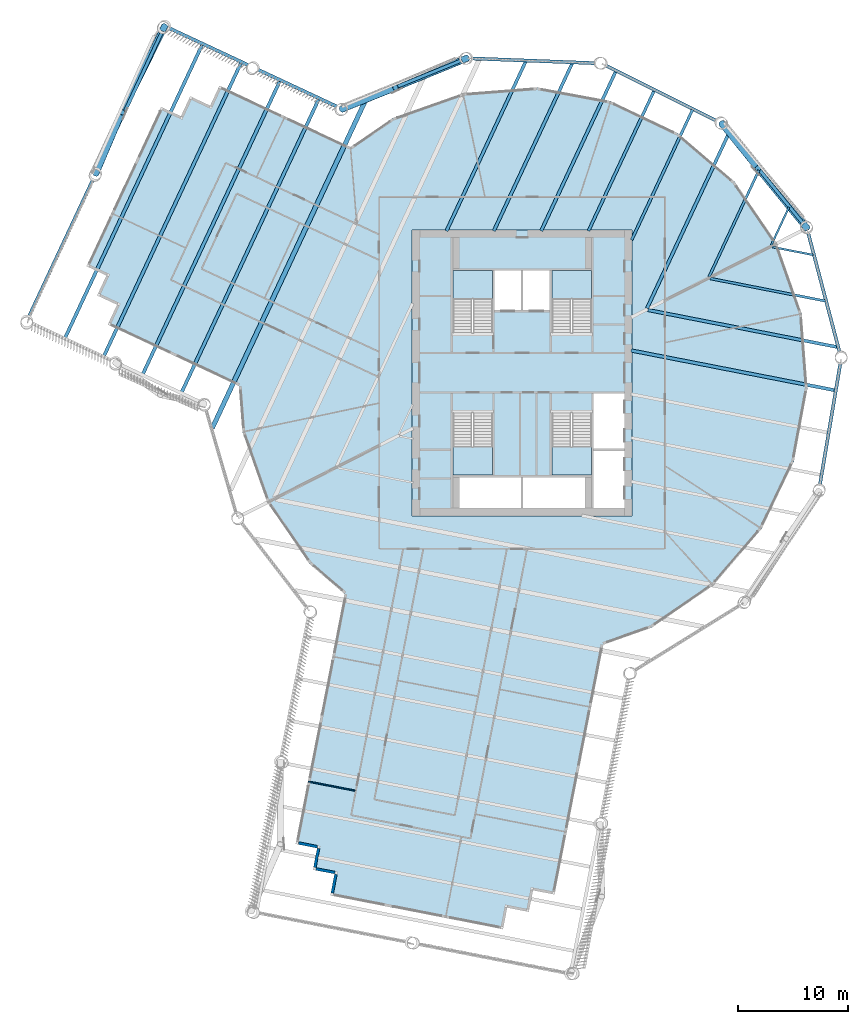
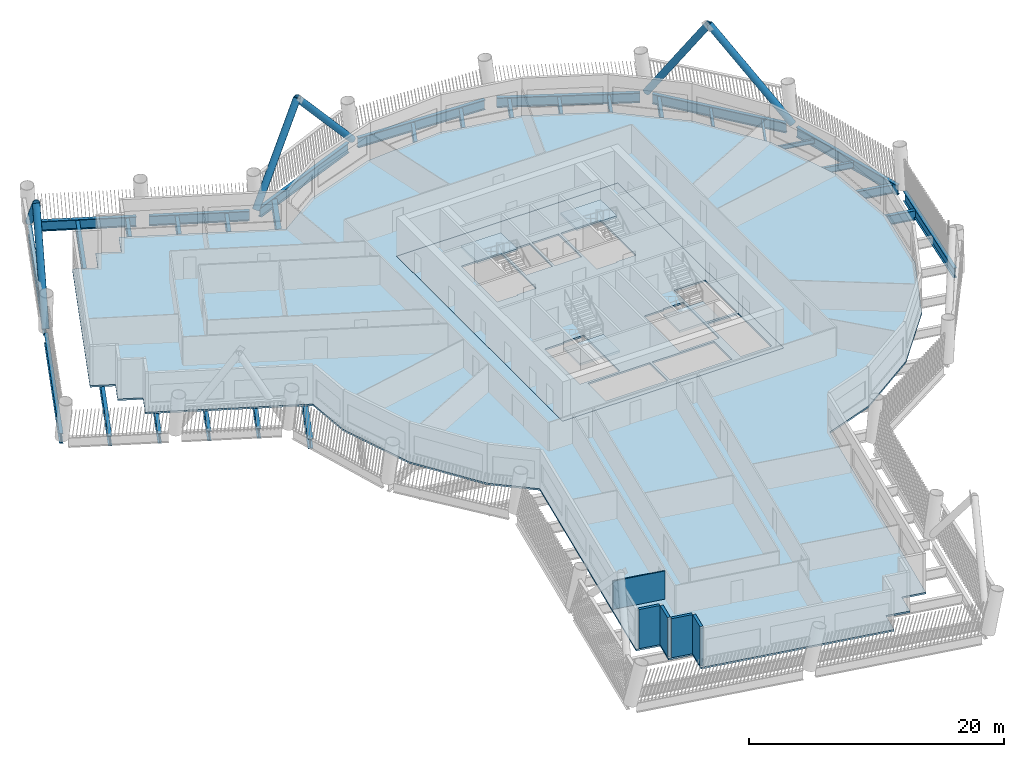
# One storey, part 2 of 24: 27 beams, 6 members, 6 slabs, 5 walls, 4 elements without a shape of their own.
"""IFC4 building model written with IfcOpenShell, lengths in metres."""

from ifc_helpers import new_model, si_unit, direction, frame, frame_2d, origin, origin_2d, place, context, subcontext, project, spatial, polyline, rectangle, hollow_circle, i_section, outline, extrude, material, layer, layer_set, material_profile, profile_set, type_object, element, aggregate, save


model = new_model("IFC4")

# Units and contexts
model_context = context("Model", 3, precision=1e-05, world=origin(), true_north=direction((0.0, 1.0)))
body_context = subcontext(model_context, "Body", "Model", "MODEL_VIEW")
ifc_project = project(units=[si_unit("LENGTHUNIT", "METRE"), si_unit("AREAUNIT", "SQUARE_METRE"), si_unit("VOLUMEUNIT", "CUBIC_METRE"), si_unit("PLANEANGLEUNIT", "RADIAN"), si_unit("MASSUNIT", "GRAM", prefix="KILO")], contexts=[model_context])

# Site, building, storey
site_placement = place(None, origin())
site = spatial("IfcSite", under=ifc_project, at=site_placement, CompositionType="ELEMENT")
building_placement = place(site_placement, origin())
building = spatial("IfcBuilding", under=site, at=building_placement, Name="Tarsis Ring Headquarters", CompositionType="ELEMENT")
storey_placement = place(building_placement, frame((0.0, 0.0, 178.800048828125)))
storey = spatial("IfcBuildingStorey", under=building, at=storey_placement, Name="L41", CompositionType="ELEMENT", Elevation=178.800048828125)

# Beams
ifc_material_1 = material(Name="Structural steel S355", Category="steel")
ifc_material_profile_1 = material_profile(ifc_material_1, i_section(OverallWidth=0.177734375, OverallDepth=0.406494140625, WebThickness=0.0078125, FlangeThickness=0.0126953125, at=origin_2d()), Name="W16x40")
ifc_profile_set_1 = profile_set([ifc_material_profile_1], Name="Structural steel S355")
beam_type_1 = type_object("IfcBeamType", Name="FB Floor beam W16x40", PredefinedType="JOIST", material=ifc_profile_set_1)
beam_1_placement = place(storey_placement, frame((22.73779296875, 11.45068359375, -0.36328125), z_axis=(0.981425232908, -0.191845021338, 0.0), x_axis=(0.191845021338, 0.981425232908, 0.0)))
element("IfcBeam", 1, at=beam_1_placement, inside=storey, type_object=beam_type_1, Name="Floor beam FB1", PredefinedType="JOIST", context=body_context, shape_type="SweptSolid", body=[
    extrude(i_section(OverallWidth=0.177734375, OverallDepth=0.406494140625, WebThickness=0.0078125, FlangeThickness=0.0126953125, at=origin_2d()), origin(), (0.0, 0.0, 1.0), 3.804931640625),
])
beam_2_placement = place(storey_placement, frame((24.264892578125, 15.064208984375, -0.36328125), z_axis=(-0.423577275069, -0.905859973751, 0.0), x_axis=(0.905859973751, -0.423577275069, 0.0)))
element("IfcBeam", 2, at=beam_2_placement, inside=storey, type_object=beam_type_1, Name="Floor beam FB1", PredefinedType="JOIST", context=body_context, shape_type="SweptSolid", body=[
    extrude(i_section(OverallWidth=0.177734375, OverallDepth=0.406494140625, WebThickness=0.0078125, FlangeThickness=0.0126953125, at=origin_2d()), origin(), (0.0, 0.0, 1.0), 3.80517578125),
])
ifc_material_profile_2 = material_profile(ifc_material_1, i_section(OverallWidth=0.228271484375, OverallDepth=0.607177734375, WebThickness=0.01123046875, FlangeThickness=0.017333984375, at=origin_2d()), Name="W24x76")
ifc_profile_set_2 = profile_set([ifc_material_profile_2], Name="Structural steel S355")
beam_type_2 = type_object("IfcBeamType", Name="FB Floor beam W24x76", PredefinedType="JOIST", material=ifc_profile_set_2)
for number, where, z_axis, x_axis, name in (
    (3, (17.090576171875, 8.580810546875, -0.463623046875), (0.981425588415, -0.191843202653, 0.0), (0.191843202653, 0.981425588415, 0.0), "Floor beam FB4"),
    (4, (21.531494140625, 18.42626953125, -0.463623046875), (-0.423560825198, -0.905867665478, 0.0), (0.905867665478, -0.423560825198, 0.0), "Floor beam FB4"),
):
    element("IfcBeam", number, at=place(storey_placement, frame(where, z_axis=z_axis, x_axis=x_axis)), inside=storey, type_object=beam_type_2, Name=name, PredefinedType="JOIST", context=body_context, shape_type="SweptSolid", body=[
        extrude(i_section(OverallWidth=0.228271484375, OverallDepth=0.607177734375, WebThickness=0.01123046875, FlangeThickness=0.017333984375, at=origin_2d()), origin(), (0.0, 0.0, 1.0), 10.684814453125),
    ])
ifc_material_profile_3 = material_profile(ifc_material_1, i_section(OverallWidth=0.2529296875, OverallDepth=0.67822265625, WebThickness=0.01171875, FlangeThickness=0.016357421875, at=origin_2d()), Name="W27x84")
ifc_profile_set_3 = profile_set([ifc_material_profile_3], Name="Structural steel S355")
beam_type_3 = type_object("IfcBeamType", Name="FB Floor beam W27x84", PredefinedType="JOIST", material=ifc_profile_set_3)
beam_3_placement = place(storey_placement, frame((15.498291015625, 23.937744140625, -0.499267578125), z_axis=(-0.423564817836, -0.90586579861, 0.0), x_axis=(0.90586579861, -0.423564817836, 0.0)))
element("IfcBeam", 5, at=beam_3_placement, inside=storey, type_object=beam_type_3, Name="Floor beam FB5", PredefinedType="JOIST", context=body_context, shape_type="SweptSolid", body=[
    extrude(i_section(OverallWidth=0.2529296875, OverallDepth=0.67822265625, WebThickness=0.01171875, FlangeThickness=0.016357421875, at=origin_2d()), origin(), (0.0, 0.0, 1.0), 13.080810546875),
])
ifc_material_profile_4 = material_profile(ifc_material_1, i_section(OverallWidth=0.2666015625, OverallDepth=0.7568359375, WebThickness=0.013916015625, FlangeThickness=0.019287109375, at=origin_2d()), Name="W30x108")
ifc_profile_set_4 = profile_set([ifc_material_profile_4], Name="Structural steel S355")
beam_type_4 = type_object("IfcBeamType", Name="FB Floor beam W30x108", PredefinedType="JOIST", material=ifc_profile_set_4)
beam_4_placement = place(storey_placement, frame((12.008056640625, 25.681396484375, -0.53857421875), z_axis=(-0.423565028334, -0.905865700186, 0.0), x_axis=(0.905865700186, -0.423565028334, 0.0)))
element("IfcBeam", 6, at=beam_4_placement, inside=storey, type_object=beam_type_4, Name="Floor beam FB6", PredefinedType="JOIST", context=body_context, shape_type="SweptSolid", body=[
    extrude(i_section(OverallWidth=0.2666015625, OverallDepth=0.7568359375, WebThickness=0.013916015625, FlangeThickness=0.019287109375, at=origin_2d()), origin(), (0.0, 0.0, 1.0), 14.09912109375),
])
ifc_material_profile_5 = material_profile(ifc_material_1, i_section(OverallWidth=0.2919921875, OverallDepth=0.835693359375, WebThickness=0.013916015625, FlangeThickness=0.018798828125, at=origin_2d()), Name="W33x118")
ifc_profile_set_5 = profile_set([ifc_material_profile_5], Name="Structural steel S355")
beam_type_5 = type_object("IfcBeamType", Name="FB Floor beam W33x118", PredefinedType="JOIST", material=ifc_profile_set_5)
for number, where, z_axis, x_axis, name in (
    (7, (11.443359375, 5.7109375, -0.577880859375), (0.981425153861, -0.191845425717, 0.0), (0.191845425717, 0.981425153861, 0.0), "Floor beam FB7"),
    (8, (18.79833984375, 21.7880859375, -0.577880859375), (-0.423574000839, -0.905861504764, 0.0), (0.905861504764, -0.423574000839, 0.0), "Floor beam FB7"),
):
    element("IfcBeam", number, at=place(storey_placement, frame(where, z_axis=z_axis, x_axis=x_axis)), inside=storey, type_object=beam_type_5, Name=name, PredefinedType="JOIST", context=body_context, shape_type="SweptSolid", body=[
        extrude(i_section(OverallWidth=0.2919921875, OverallDepth=0.835693359375, WebThickness=0.013916015625, FlangeThickness=0.018798828125, at=origin_2d()), origin(), (0.0, 0.0, 1.0), 17.564208984375),
    ])
beam_5_placement = place(storey_placement, frame((8.51806640625, 27.425048828125, -0.577880859375), z_axis=(-0.423559288749, -0.90586838388, 0.0), x_axis=(0.90586838388, -0.423559288749, 0.0)))
element("IfcBeam", 9, at=beam_5_placement, inside=storey, type_object=beam_type_5, Name="Floor beam FB7", PredefinedType="JOIST", context=body_context, shape_type="SweptSolid", body=[
    extrude(i_section(OverallWidth=0.2919921875, OverallDepth=0.835693359375, WebThickness=0.013916015625, FlangeThickness=0.018798828125, at=origin_2d()), origin(), (0.0, 0.0, 1.0), 16.02392578125),
])
beam_6_placement = place(storey_placement, frame((4.56494140625, 28.177978515625, -0.577880859375), z_axis=(-0.423559359119, -0.905868350978, 0.0), x_axis=(0.905868350978, -0.423559359119, 0.0)))
element("IfcBeam", 10, at=beam_6_placement, inside=storey, type_object=beam_type_5, Name="Floor beam FB7", PredefinedType="JOIST", context=body_context, shape_type="SweptSolid", body=[
    extrude(i_section(OverallWidth=0.2919921875, OverallDepth=0.835693359375, WebThickness=0.013916015625, FlangeThickness=0.018798828125, at=origin_2d()), origin(), (0.0, 0.0, 1.0), 16.855224609375),
])
beam_7_placement = place(storey_placement, frame((0.3359375, 28.3408203125, -0.577880859375), z_axis=(-0.423572636406, -0.905862142761, 0.0), x_axis=(0.905862142761, -0.423572636406, 0.0)))
element("IfcBeam", 11, at=beam_7_placement, inside=storey, type_object=beam_type_5, Name="Floor beam FB7", PredefinedType="JOIST", context=body_context, shape_type="SweptSolid", body=[
    extrude(i_section(OverallWidth=0.2919921875, OverallDepth=0.835693359375, WebThickness=0.013916015625, FlangeThickness=0.018798828125, at=origin_2d()), origin(), (0.0, 0.0, 1.0), 17.03515625),
])
ifc_material_profile_6 = material_profile(ifc_material_1, i_section(OverallWidth=0.3046875, OverallDepth=0.904296875, WebThickness=0.01513671875, FlangeThickness=0.02001953125, at=origin_2d()), Name="W36x135")
ifc_profile_set_6 = profile_set([ifc_material_profile_6], Name="Structural steel S355")
beam_type_6 = type_object("IfcBeamType", Name="FB Floor beam W36x135", PredefinedType="JOIST", material=ifc_profile_set_6)
beam_8_placement = place(storey_placement, frame((9.90185546875, 2.038330078125, -0.612060546875), z_axis=(0.981427364519, -0.191834116291, 0.0), x_axis=(0.191834116291, 0.981427364519, 0.0)))
element("IfcBeam", 12, at=beam_8_placement, inside=storey, type_object=beam_type_6, Name="Floor beam FB8", PredefinedType="JOIST", context=body_context, shape_type="SweptSolid", body=[
    extrude(i_section(OverallWidth=0.3046875, OverallDepth=0.904296875, WebThickness=0.01513671875, FlangeThickness=0.02001953125, at=origin_2d()), origin(), (0.0, 0.0, 1.0), 18.921875),
])
ifc_material_profile_7 = material_profile(ifc_material_1, i_section(OverallWidth=0.309814453125, OverallDepth=0.949951171875, WebThickness=0.0244140625, FlangeThickness=0.0439453125, at=origin_2d()), Name="W36x256")
ifc_profile_set_7 = profile_set([ifc_material_profile_7], Name="Structural steel S355")
beam_type_7 = type_object("IfcBeamType", Name="FB Floor beam W36x256", PredefinedType="JOIST", material=ifc_profile_set_7)
for number, where, z_axis, x_axis, name in (
    (13, (-18.484619140625, 24.92041015625, -0.635009765625), (-0.423564262293, -0.905866058371, 0.0), (0.905866058371, -0.423564262293, 0.0), "Floor beam FB11"),
    (14, (-22.017578125, 26.572265625, -0.635009765625), (-0.423564262293, -0.905866058371, 0.0), (0.905866058371, -0.423564262293, 0.0), "Floor beam FB11"),
):
    element("IfcBeam", number, at=place(storey_placement, frame(where, z_axis=z_axis, x_axis=x_axis)), inside=storey, type_object=beam_type_7, Name=name, PredefinedType="JOIST", context=body_context, shape_type="SweptSolid", body=[
        extrude(i_section(OverallWidth=0.309814453125, OverallDepth=0.949951171875, WebThickness=0.0244140625, FlangeThickness=0.0439453125, at=origin_2d()), origin(), (0.0, 0.0, 1.0), 29.490234375),
    ])
beam_9_placement = place(storey_placement, frame((-25.55029296875, 28.22412109375, -0.635009765625), z_axis=(-0.423567438798, -0.905864573096, 0.0), x_axis=(0.905864573096, -0.423567438798, 0.0)))
element("IfcBeam", 15, at=beam_9_placement, inside=storey, type_object=beam_type_7, Name="Floor beam FB11", PredefinedType="JOIST", context=body_context, shape_type="SweptSolid", body=[
    extrude(i_section(OverallWidth=0.309814453125, OverallDepth=0.949951171875, WebThickness=0.0244140625, FlangeThickness=0.0439453125, at=origin_2d()), origin(), (0.0, 0.0, 1.0), 29.489990234375),
])
beam_10_placement = place(storey_placement, frame((-29.083251953125, 29.876220703125, -0.635009765625), z_axis=(-0.423564262293, -0.905866058371, 0.0), x_axis=(0.905866058371, -0.423564262293, 0.0)))
element("IfcBeam", 16, at=beam_10_placement, inside=storey, type_object=beam_type_7, Name="Floor beam FB11", PredefinedType="JOIST", context=body_context, shape_type="SweptSolid", body=[
    extrude(i_section(OverallWidth=0.309814453125, OverallDepth=0.949951171875, WebThickness=0.0244140625, FlangeThickness=0.0439453125, at=origin_2d()), origin(), (0.0, 0.0, 1.0), 29.490234375),
])
ifc_material_profile_8 = material_profile(ifc_material_1, i_section(OverallWidth=0.42431640625, OverallDepth=0.947509765625, WebThickness=0.02392578125, FlangeThickness=0.042724609375, at=origin_2d()), Name="W36x302")
ifc_profile_set_8 = profile_set([ifc_material_profile_8], Name="Structural steel S355")
beam_type_8 = type_object("IfcBeamType", Name="FB Floor beam W36x302", PredefinedType="JOIST", material=ifc_profile_set_8)
beam_11_placement = place(storey_placement, frame((-14.2529296875, 24.762939453125, -0.6337890625), z_axis=(-0.423565501624, -0.905865478884, 0.0), x_axis=(0.905865478884, -0.423565501624, 0.0)))
element("IfcBeam", 17, at=beam_11_placement, inside=storey, type_object=beam_type_8, Name="Floor beam FB12", PredefinedType="JOIST", context=body_context, shape_type="SweptSolid", body=[
    extrude(i_section(OverallWidth=0.42431640625, OverallDepth=0.947509765625, WebThickness=0.02392578125, FlangeThickness=0.042724609375, at=origin_2d()), origin(), (0.0, 0.0, 1.0), 32.875244140625),
])

# Members
ifc_material_profile_9 = material_profile(ifc_material_1, hollow_circle(Radius=0.3046875, WallThickness=0.02490234375, at=origin_2d()), Name="CHS 610x25")
ifc_profile_set_9 = profile_set([ifc_material_profile_9], Name="Structural steel S355")
member_type = type_object("IfcMemberType", Name="XD X brace CHS 610x25", PredefinedType="BRACE", material=ifc_profile_set_9)
member_1_placement = place(storey_placement, frame((25.896240234375, 13.16064453125, 0.0), z_axis=(-0.422917251386, 0.518070142379, 0.74346777069), x_axis=(-0.774659112912, -0.632379046762, 0.0)))
element("IfcMember", 18, at=member_1_placement, inside=storey, type_object=member_type, Name="X brace XD1", PredefinedType="BRACE", context=body_context, shape_type="SweptSolid", body=[
    extrude(hollow_circle(Radius=0.3046875, WallThickness=0.02490234375, at=origin_2d()), origin(), (0.0, 0.0, 1.0), 10.491455078125),
])
member_2_placement = place(storey_placement, frame((18.169189453125, 22.664794921875, 0.0), z_axis=(0.350280493017, -0.433197884879, 0.830447571342), x_axis=(0.777598963365, 0.628760568241, 0.0)))
element("IfcMember", 19, at=member_2_placement, inside=storey, type_object=member_type, Name="X brace XD1", PredefinedType="BRACE", context=body_context, shape_type="SweptSolid", body=[
    extrude(hollow_circle(Radius=0.3046875, WallThickness=0.02490234375, at=origin_2d()), origin(), (0.0, 0.0, 1.0), 9.392578125),
])
member_3_placement = place(storey_placement, frame((-5.028076171875, 28.610107421875, 0.0), z_axis=(-0.618950981569, -0.253277031484, 0.743471874207), x_axis=(0.378722267209, -0.925510369645, 0.0)))
element("IfcMember", 20, at=member_3_placement, inside=storey, type_object=member_type, Name="X brace XD1", PredefinedType="BRACE", context=body_context, shape_type="SweptSolid", body=[
    extrude(hollow_circle(Radius=0.3046875, WallThickness=0.02490234375, at=origin_2d()), origin(), (0.0, 0.0, 1.0), 10.491455078125),
])
member_4_placement = place(storey_placement, frame((-16.373779296875, 23.994140625, 0.0), z_axis=(0.516585544685, 0.208542106522, 0.830451422318), x_axis=(-0.374341155667, 0.927291054186, 0.0)))
element("IfcMember", 21, at=member_4_placement, inside=storey, type_object=member_type, Name="X brace XD1", PredefinedType="BRACE", context=body_context, shape_type="SweptSolid", body=[
    extrude(hollow_circle(Radius=0.3046875, WallThickness=0.02490234375, at=origin_2d()), origin(), (0.0, 0.0, 1.0), 9.392578125),
])
member_5_placement = place(storey_placement, frame((-32.502197265625, 31.535400390625, 0.0), z_axis=(-0.332420675962, -0.668381951818, 0.665403682495), x_axis=(0.89537378626, -0.445315374626, 0.0)))
element("IfcMember", 22, at=member_5_placement, inside=storey, type_object=member_type, Name="X brace XD1", PredefinedType="BRACE", context=body_context, shape_type="SweptSolid", body=[
    extrude(hollow_circle(Radius=0.3046875, WallThickness=0.02490234375, at=origin_2d()), origin(), (0.0, 0.0, 1.0), 11.72216796875),
])
member_6_placement = place(storey_placement, frame((-38.77099609375, 18.128662109375, 0.0), z_axis=(0.240213892502, 0.564240577879, 0.789892306662), x_axis=(-0.92008910364, 0.391709128515, 0.0)))
element("IfcMember", 23, at=member_6_placement, inside=storey, type_object=member_type, Name="X brace XD1", PredefinedType="BRACE", context=body_context, shape_type="SweptSolid", body=[
    extrude(hollow_circle(Radius=0.3046875, WallThickness=0.02490234375, at=origin_2d()), origin(), (0.0, 0.0, 1.0), 9.874755859375),
])

# Beams
beam_type_9 = type_object("IfcBeamType", Name="XG Ring girder W36x256", PredefinedType="BEAM", material=ifc_profile_set_7)
for number, where, z_axis, x_axis, name in (
    (24, (27.065185546875, -10.265869140625, -0.47509765625), (0.166314282027, 0.986072796295, 0.0), (-0.986072796295, 0.166314282027, 0.0), "Ring girder XG2"),
    (25, (28.890380859375, 1.802734375, -0.47509765625), (-0.254911202942, 0.966964466056, 0.0), (-0.966964466056, -0.254911202942, 0.0), "Ring girder XG2"),
):
    element("IfcBeam", number, at=place(storey_placement, frame(where, z_axis=z_axis, x_axis=x_axis)), inside=storey, type_object=beam_type_9, Name=name, PredefinedType="BEAM", context=body_context, shape_type="SweptSolid", body=[
        extrude(i_section(OverallWidth=0.309814453125, OverallDepth=0.949951171875, WebThickness=0.0244140625, FlangeThickness=0.0439453125, at=origin_2d()), origin(), (0.0, 0.0, 1.0), 11.242919921875),
    ])
for number, where, z_axis, x_axis, name in (
    (26, (25.578857421875, 13.55078125, -0.47509765625), (-0.630814141177, 0.775933965806, 0.0), (-0.775933965806, -0.630814141177, 0.0), "Ring girder XG2"),
    (27, (17.719482421875, 22.8896484375, -0.47509765625), (-0.894579142006, 0.446909564328, 0.0), (-0.446909564328, -0.894579142006, 0.0), "Ring girder XG2"),
):
    element("IfcBeam", number, at=place(storey_placement, frame(where, z_axis=z_axis, x_axis=x_axis)), inside=storey, type_object=beam_type_9, Name=name, PredefinedType="BEAM", context=body_context, shape_type="SweptSolid", body=[
        extrude(i_section(OverallWidth=0.309814453125, OverallDepth=0.949951171875, WebThickness=0.0244140625, FlangeThickness=0.0439453125, at=origin_2d()), origin(), (0.0, 0.0, 1.0), 11.2431640625),
    ])
for number, where, z_axis, x_axis, name in (
    (28, (6.709228515625, 28.158447265625, -0.47509765625), (-0.999260244153, 0.038457306917, 0.0), (-0.038457306917, -0.999260244153, 0.0), "Ring girder XG2"),
    (29, (-5.493896484375, 28.420654296875, -0.47509765625), (-0.926269578582, -0.37686160297, 0.0), (0.37686160297, -0.926269578582, 0.0), "Ring girder XG2"),
):
    element("IfcBeam", number, at=place(storey_placement, frame(where, z_axis=z_axis, x_axis=x_axis)), inside=storey, type_object=beam_type_9, Name=name, PredefinedType="BEAM", context=body_context, shape_type="SweptSolid", body=[
        extrude(i_section(OverallWidth=0.309814453125, OverallDepth=0.949951171875, WebThickness=0.0244140625, FlangeThickness=0.0439453125, at=origin_2d()), origin(), (0.0, 0.0, 1.0), 11.242919921875),
    ])
for number, where, z_axis, x_axis, name in (
    (30, (-16.829345703125, 24.20703125, -0.47509765625), (-0.905861400459, 0.423574223908, 0.0), (-0.423574223908, -0.905861400459, 0.0), "Ring girder XG2"),
    (31, (-24.8935546875, 27.977783203125, -0.47509765625), (-0.905861400459, 0.423574223908, 0.0), (-0.423574223908, -0.905861400459, 0.0), "Ring girder XG2"),
):
    element("IfcBeam", number, at=place(storey_placement, frame(where, z_axis=z_axis, x_axis=x_axis)), inside=storey, type_object=beam_type_9, Name=name, PredefinedType="BEAM", context=body_context, shape_type="SweptSolid", body=[
        extrude(i_section(OverallWidth=0.309814453125, OverallDepth=0.949951171875, WebThickness=0.0244140625, FlangeThickness=0.0439453125, at=origin_2d()), origin(), (0.0, 0.0, 1.0), 7.896484375),
    ])
for number, where, z_axis, x_axis, name in (
    (32, (-32.71533203125, 31.079833984375, -0.47509765625), (-0.423569399779, -0.905863656171, 0.0), (0.905863656171, -0.423569399779, 0.0), "Ring girder XG2"),
    (33, (-38.984130859375, 17.673095703125, -0.47509765625), (-0.423569399779, -0.905863656171, 0.0), (0.905863656171, -0.423569399779, 0.0), "Ring girder XG2"),
):
    element("IfcBeam", number, at=place(storey_placement, frame(where, z_axis=z_axis, x_axis=x_axis)), inside=storey, type_object=beam_type_9, Name=name, PredefinedType="BEAM", context=body_context, shape_type="SweptSolid", body=[
        extrude(i_section(OverallWidth=0.309814453125, OverallDepth=0.949951171875, WebThickness=0.0244140625, FlangeThickness=0.0439453125, at=origin_2d()), origin(), (0.0, 0.0, 1.0), 13.794189453125),
    ])

# Slab
ifc_material_2 = material(Name="Concrete C40/50", Category="concrete")
ifc_layer_1 = layer(ifc_material_2, 0.159912109375)
ifc_layer_set_1 = layer_set([ifc_layer_1], Name="Core floor slab 160 C40/50")
slab_type_1 = type_object("IfcSlabType", Name="Core floor slab 160 C40/50", PredefinedType="FLOOR", material=ifc_layer_set_1)
slab_1_placement = place(storey_placement, frame((0.0, 0.0, -0.16015625)))
element("IfcSlab", 34, at=slab_1_placement, inside=storey, type_object=slab_type_1, Name="L41 core floor slab", PredefinedType="FLOOR", context=body_context, shape_type="SweptSolid", body=[
    extrude(outline(polyline([(-10.0, -13.0), (10.0, -13.0), (10.0, 13.0), (-10.0, 13.0), (-10.0, -13.0)]), holes=[polyline([(-2.5, 5.699951171875), (-0.10009765625, 5.699951171875), (-0.10009765625, 9.300048828125), (-2.5, 9.300048828125), (-2.5, 5.699951171875)]), polyline([(0.10009765625, 5.699951171875), (2.5, 5.699951171875), (2.5, 9.300048828125), (0.10009765625, 9.300048828125), (0.10009765625, 5.699951171875)]), polyline([(6.5, -12.300048828125), (9.300048828125, -12.300048828125), (9.300048828125, -7.10009765625), (6.5, -7.10009765625), (6.5, -12.300048828125)]), polyline([(6.5, -6.89990234375), (9.300048828125, -6.89990234375), (9.300048828125, -1.89990234375), (6.5, -1.89990234375), (6.5, -6.89990234375)]), polyline([(-5.699951171875, -12.300048828125), (-0.10009765625, -12.300048828125), (-0.10009765625, -9.5), (-5.699951171875, -9.5), (-5.699951171875, -12.300048828125)]), polyline([(0.10009765625, -12.300048828125), (5.699951171875, -12.300048828125), (5.699951171875, -9.5), (0.10009765625, -9.5), (0.10009765625, -12.300048828125)]), polyline([(-2.699951171875, 3.760009765625), (-2.699951171875, 9.300048828125), (-6.300048828125, 9.300048828125), (-6.300048828125, 3.659912109375), (-4.4599609375, 3.659912109375), (-4.4599609375, 3.760009765625), (-2.699951171875, 3.760009765625)]), polyline([(6.300048828125, 3.760009765625), (6.300048828125, 9.300048828125), (2.699951171875, 9.300048828125), (2.699951171875, 3.659912109375), (4.5400390625, 3.659912109375), (4.5400390625, 3.760009765625), (6.300048828125, 3.760009765625)]), polyline([(-6.300048828125, -3.760009765625), (-6.300048828125, -9.300048828125), (-2.699951171875, -9.300048828125), (-2.699951171875, -3.659912109375), (-4.5400390625, -3.659912109375), (-4.5400390625, -3.760009765625), (-6.300048828125, -3.760009765625)]), polyline([(2.699951171875, -3.760009765625), (2.699951171875, -9.300048828125), (6.300048828125, -9.300048828125), (6.300048828125, -3.659912109375), (4.4599609375, -3.659912109375), (4.4599609375, -3.760009765625), (2.699951171875, -3.760009765625)])]), origin(), (0.0, 0.0, 1.0), 0.16015625),
])

# Stair, slab
ifc_material_3 = material(Name="Core stair 1760")
stair_type = type_object("IfcStairType", Name="Core stair 1760", PredefinedType="HALF_TURN_STAIR", material=ifc_material_3)
stair_1_placement = place(storey_placement, origin())
stair_1 = element("IfcStair", 35, at=stair_1_placement, inside=storey, type_object=stair_type, Name="L41 Firefighting stair", PredefinedType="HALF_TURN_STAIR")
ifc_layer_2 = layer(ifc_material_2, 0.199951171875)
ifc_layer_set_2 = layer_set([ifc_layer_2], Name="Core stair landing 200")
slab_type_2 = type_object("IfcSlabType", Name="Core stair landing 200", PredefinedType="LANDING", material=ifc_layer_set_2)
slab_2_placement = place(storey_placement, frame((0.0, 0.0, 1.75)))
slab_2 = element("IfcSlab", 36, at=slab_2_placement, type_object=slab_type_2, Name="Stair ST1 landing 1", PredefinedType="LANDING", context=body_context, shape_type="SweptSolid", body=[
    extrude(outline(polyline([(-2.699951171875, 6.739990234375), (-2.699951171875, 9.300048828125), (-6.300048828125, 9.300048828125), (-6.300048828125, 6.739990234375), (-2.699951171875, 6.739990234375)])), origin(), (0.0, 0.0, 1.0), 0.199951171875),
])
aggregate(stair_1, [slab_2])

stair_2_placement = place(storey_placement, origin())
stair_2 = element("IfcStair", 37, at=stair_2_placement, inside=storey, type_object=stair_type, Name="L41 Exit stair B", PredefinedType="HALF_TURN_STAIR")
slab_3_placement = place(storey_placement, frame((0.0, 0.0, 1.75)))
slab_3 = element("IfcSlab", 38, at=slab_3_placement, type_object=slab_type_2, Name="Stair ST2 landing 1", PredefinedType="LANDING", context=body_context, shape_type="SweptSolid", body=[
    extrude(outline(polyline([(6.300048828125, 6.739990234375), (6.300048828125, 9.300048828125), (2.699951171875, 9.300048828125), (2.699951171875, 6.739990234375), (6.300048828125, 6.739990234375)])), origin(), (0.0, 0.0, 1.0), 0.199951171875),
])
aggregate(stair_2, [slab_3])

stair_3_placement = place(storey_placement, origin())
stair_3 = element("IfcStair", 39, at=stair_3_placement, inside=storey, type_object=stair_type, Name="L41 Exit stair C", PredefinedType="HALF_TURN_STAIR")
slab_4_placement = place(storey_placement, frame((0.0, 0.0, 1.75)))
slab_4 = element("IfcSlab", 40, at=slab_4_placement, type_object=slab_type_2, Name="Stair ST3 landing 1", PredefinedType="LANDING", context=body_context, shape_type="SweptSolid", body=[
    extrude(outline(polyline([(-6.300048828125, -6.739990234375), (-6.300048828125, -9.300048828125), (-2.699951171875, -9.300048828125), (-2.699951171875, -6.739990234375), (-6.300048828125, -6.739990234375)])), origin(), (0.0, 0.0, 1.0), 0.199951171875),
])
aggregate(stair_3, [slab_4])

stair_4_placement = place(storey_placement, origin())
stair_4 = element("IfcStair", 41, at=stair_4_placement, inside=storey, type_object=stair_type, Name="L41 Exit stair D", PredefinedType="HALF_TURN_STAIR")
slab_5_placement = place(storey_placement, frame((0.0, 0.0, 1.75)))
slab_5 = element("IfcSlab", 42, at=slab_5_placement, type_object=slab_type_2, Name="Stair ST4 landing 1", PredefinedType="LANDING", context=body_context, shape_type="SweptSolid", body=[
    extrude(outline(polyline([(2.699951171875, -6.739990234375), (2.699951171875, -9.300048828125), (6.300048828125, -9.300048828125), (6.300048828125, -6.739990234375), (2.699951171875, -6.739990234375)])), origin(), (0.0, 0.0, 1.0), 0.199951171875),
])
aggregate(stair_4, [slab_5])

# Slab
ifc_material_4 = material(Name="Concrete C35/45", Category="concrete")
ifc_layer_3 = layer(ifc_material_4, 0.159912109375)
ifc_layer_set_3 = layer_set([ifc_layer_3], Name="FS Composite floor slab 160")
slab_type_3 = type_object("IfcSlabType", Name="FS Composite floor slab 160", PredefinedType="FLOOR", material=ifc_layer_set_3)
slab_6_placement = place(storey_placement, frame((0.0, 0.0, -0.16015625)))
element("IfcSlab", 43, at=slab_6_placement, inside=storey, type_object=slab_type_3, Name="Floor slab L41", PredefinedType="FLOOR", context=body_context, shape_type="SweptSolid", body=[
    extrude(outline(polyline([(-25.761962890625, -1.201171875), (-25.4375, -5.379150390625), (-23.178466796875, -11.779541015625), (-19.340087890625, -17.377197265625), (-16.156494140625, -20.10205078125), (-20.6015625, -42.843505859375), (-18.638671875, -43.227294921875), (-19.0224609375, -45.190185546875), (-17.0595703125, -45.57373046875), (-17.443359375, -47.53662109375), (-1.740478515625, -50.60595703125), (-1.356689453125, -48.64306640625), (0.606201171875, -49.02685546875), (0.98974609375, -47.06396484375), (2.95263671875, -47.44775390625), (7.393798828125, -24.726318359375), (11.779541015625, -23.178466796875), (17.377197265625, -19.340087890625), (21.79052734375, -14.183349609375), (24.718994140625, -8.060302734375), (25.962890625, -1.387939453125), (25.4375, 5.379150390625), (23.178466796875, 11.779541015625), (19.340087890625, 17.377197265625), (14.183349609375, 21.79052734375), (8.060302734375, 24.718994140625), (1.387939453125, 25.962890625), (-5.379150390625, 25.4375), (-11.779541015625, 23.178466796875), (-15.614990234375, 20.54833984375), (-27.5283203125, 26.118896484375), (-28.37548828125, 24.30712890625), (-30.187255859375, 25.154296875), (-31.034423828125, 23.342529296875), (-32.845947265625, 24.189697265625), (-39.623046875, 9.69580078125), (-37.811279296875, 8.8486328125), (-38.658447265625, 7.036865234375), (-36.8466796875, 6.189697265625), (-37.69384765625, 4.3779296875), (-25.761962890625, -1.201171875)]), holes=[polyline([(-10.0, -13.0), (-10.0, 13.0), (10.0, 13.0), (10.0, -13.0), (-10.0, -13.0)])]), origin(), (0.0, 0.0, 1.0), 0.16015625),
])

# Walls
ifc_material_5 = material(Name="Gypsum board on steel studs", Category="steel")
ifc_layer_4 = layer(ifc_material_5, 0.10009765625)
ifc_layer_set_4 = layer_set([ifc_layer_4], Name="FL partition 100 unrated")
wall_type_1 = type_object("IfcWallType", Name="FL partition 100 unrated", PredefinedType="PARTITIONING", material=ifc_layer_set_4)
wall_placement = place(storey_placement, frame((-19.44189453125, -37.170654296875, 0.0), z_axis=(0.0, 0.0, 1.0), x_axis=(0.981421514254, -0.191864043948, 0.0)))
element("IfcWall", 44, at=wall_placement, inside=storey, type_object=wall_type_1, Name="Partition PW3", PredefinedType="PARTITIONING", context=body_context, shape_type="SweptSolid", body=[
    extrude(rectangle(XDim=4.330322265625, YDim=0.10009765625, at=frame_2d((2.1650390625, 0.0))), origin(), (0.0, 0.0, 1.0), 2.699951171875),
])
ifc_material_6 = material(Name="Terracotta clad insulated panel wall", Category="masonry")
ifc_layer_5 = layer(ifc_material_6, 0.25)
ifc_layer_set_5 = layer_set([ifc_layer_5], Name="Facade wall terracotta panel 250")
wall_type_2 = type_object("IfcWallType", Name="Facade wall terracotta panel 250", PredefinedType="STANDARD", material=ifc_layer_set_5)
for number, where, z_axis, x_axis, name in (
    (45, (-20.332275390625, -42.768798828125, 0.0), (0.0, 0.0, 1.0), (0.981429783255, -0.191821741574, 0.0), "External wall L41-07"),
    (46, (-18.51611328125, -43.251220703125, 0.0), (0.0, 0.0, 1.0), (-0.191821741574, -0.981429783255, 0.0), "External wall L41-08"),
    (47, (-18.753173828125, -45.115478515625, 0.0), (0.0, 0.0, 1.0), (0.981429783255, -0.191821741574, 0.0), "External wall L41-09"),
    (48, (-16.93701171875, -45.59765625, 0.0), (0.0, 0.0, 1.0), (-0.191821741574, -0.981429783255, 0.0), "External wall L41-10"),
):
    element("IfcWall", number, at=place(storey_placement, frame(where, z_axis=z_axis, x_axis=x_axis)), inside=storey, type_object=wall_type_2, Name=name, PredefinedType="STANDARD", context=body_context, shape_type="SweptSolid", body=[
        extrude(rectangle(XDim=1.75, YDim=0.25, at=frame_2d((0.875, 0.0))), origin(), (0.0, 0.0, 1.0), 3.739990234375),
    ])

save(model, "model.ifc")
